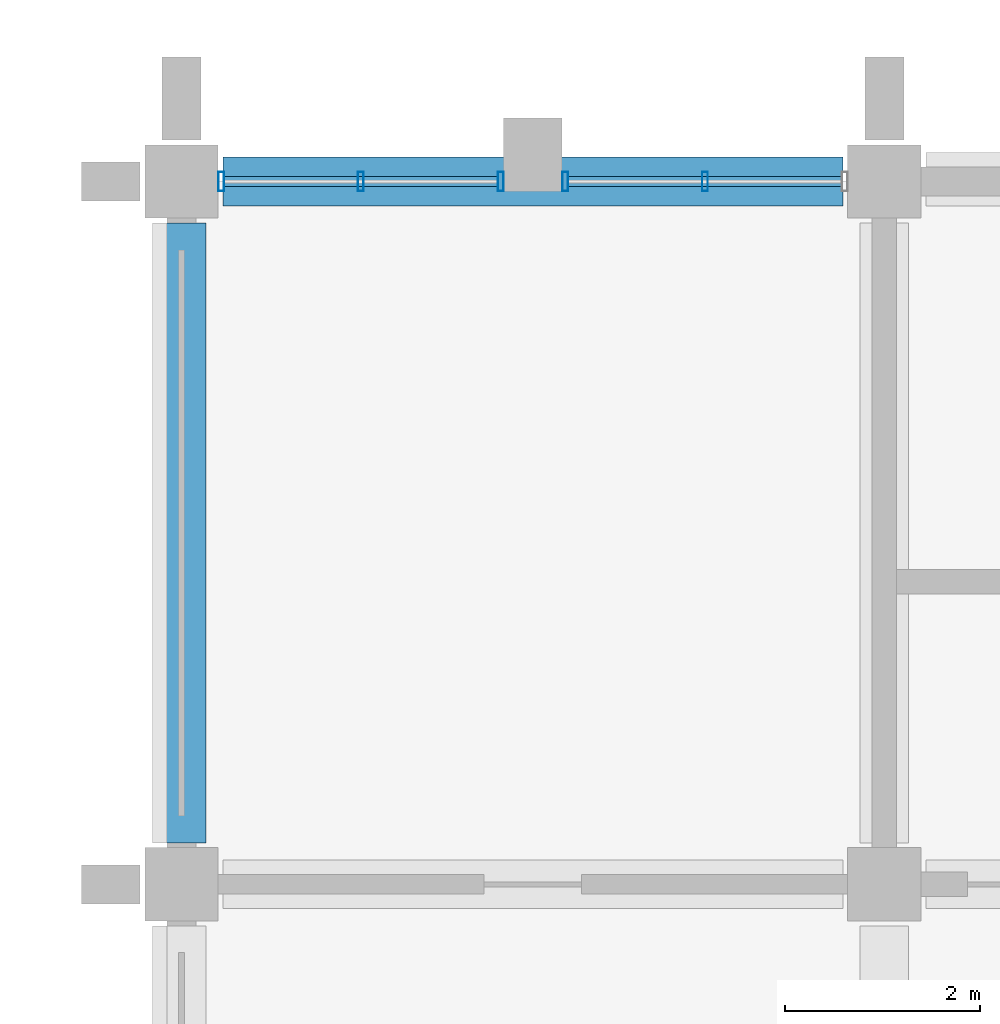
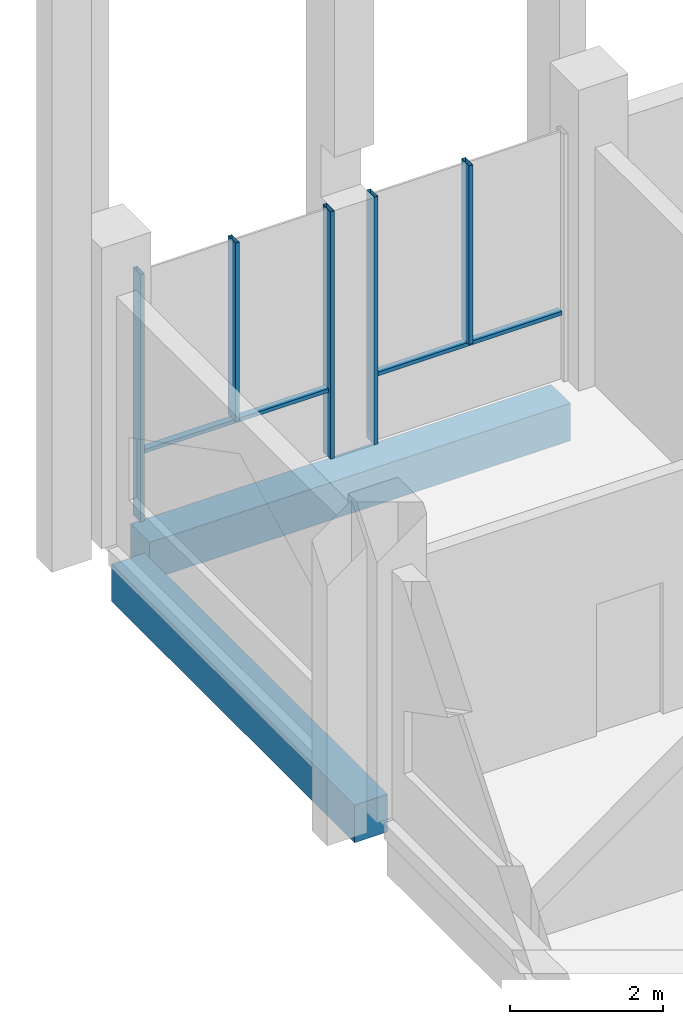
# One storey, part 22 of 40: 7 members, 2 beams, 2 elements without a shape of their own.
"""IFC4 building model written with IfcOpenShell, lengths in metres."""

from ifc_helpers import new_model, si_unit, direction, frame, origin, origin_2d, place, context, subcontext, project, spatial, rectangle, hollow_rectangle, extrude, material, material_profile, profile_set, type_object, element, aggregate, save


model = new_model("IFC4")

# Units and contexts
model_context = context("Model", 3, precision=1e-05, world=origin(), true_north=direction((0.0, 1.0)))
body_context = subcontext(model_context, "Body", "Model", "MODEL_VIEW")
ifc_project = project(units=[si_unit("LENGTHUNIT", "METRE"), si_unit("AREAUNIT", "SQUARE_METRE"), si_unit("VOLUMEUNIT", "CUBIC_METRE"), si_unit("PLANEANGLEUNIT", "RADIAN"), si_unit("MASSUNIT", "GRAM", prefix="KILO")], contexts=[model_context])

# Site, building, storey
site_placement = place(None, origin())
site = spatial("IfcSite", under=ifc_project, at=site_placement, CompositionType="ELEMENT")
building_placement = place(site_placement, origin())
building = spatial("IfcBuilding", under=site, at=building_placement, Name="Silangan Lancet Faculty of Sciences", CompositionType="ELEMENT")
storey_placement = place(building_placement, frame((0.0, 0.0, 21.60009765625)))
storey = spatial("IfcBuildingStorey", under=building, at=storey_placement, Name="L04", CompositionType="ELEMENT", Elevation=21.60009765625)

# Beams
ifc_material_1 = material(Name="Concrete C40/50", Category="concrete")
ifc_material_profile_1 = material_profile(ifc_material_1, rectangle(XDim=0.5, YDim=0.60009765625, at=origin_2d()), Name="RC 500x600")
ifc_profile_set_1 = profile_set([ifc_material_profile_1], Name="Concrete C40/50")
beam_type = type_object("IfcBeamType", Name="BEAM RC 500x600", PredefinedType="BEAM", material=ifc_profile_set_1)
beam_1_placement = place(storey_placement, frame((72.425048828125, 57.60009765625, -0.550048828125), z_axis=(1.0, 0.0, 0.0), x_axis=(0.0, 1.0, 0.0)))
element("IfcBeam", 1, at=beam_1_placement, inside=storey, type_object=beam_type, Name="BM-L04-11I-12I", PredefinedType="BEAM", context=body_context, shape_type="SweptSolid", body=[
    extrude(rectangle(XDim=0.5, YDim=0.60009765625, at=origin_2d()), origin(), (0.0, 0.0, 1.0), 6.349853515625),
])
beam_2_placement = place(storey_placement, frame((72.0, 50.824951171875, -0.550048828125), z_axis=(0.0, 1.0, 0.0), x_axis=(-1.0, 0.0, 0.0)))
element("IfcBeam", 2, at=beam_2_placement, inside=storey, type_object=beam_type, Name="BM-L04-11H-11I", PredefinedType="BEAM", context=body_context, shape_type="SweptSolid", body=[
    extrude(rectangle(XDim=0.5, YDim=0.60009765625, at=origin_2d()), origin(), (0.0, 0.0, 1.0), 6.35009765625),
])

# Curtain wall, members
ifc_material_2 = material(Name="Aluminium framed curtain wall with insulated glass", Category="aluminium")
curtain_wall_type = type_object("IfcCurtainWallType", Name="CW1 Commons and east block glazing", PredefinedType="NOTDEFINED", material=ifc_material_2)
curtain_wall_1_placement = place(storey_placement, origin())
curtain_wall_1 = element("IfcCurtainWall", 3, at=curtain_wall_1_placement, inside=storey, type_object=curtain_wall_type, Name="CW1 East block north L04 bay 1", PredefinedType="NOTDEFINED")
ifc_material_3 = material(Name="Aluminium 6063-T6 extrusion", Category="aluminium")
ifc_material_profile_2 = material_profile(ifc_material_3, hollow_rectangle(XDim=0.06005859375, YDim=0.199951171875, WallThickness=0.00390625, at=origin_2d()), Name="AL BOX 60x200x4")
ifc_profile_set_2 = profile_set([ifc_material_profile_2], Name="Aluminium 6063-T6 extrusion")
member_type_1 = type_object("IfcMemberType", Name="CM1 Mullion 60x200", PredefinedType="MULLION", material=ifc_profile_set_2)
member_1_placement = place(storey_placement, frame((75.93017578125, 57.60009765625, 0.0), z_axis=(0.0, 0.0, 1.0), x_axis=(-1.0, 0.0, 0.0)))
member_1 = element("IfcMember", 4, at=member_1_placement, type_object=member_type_1, Name="CW1 East block north L04 bay 1 mullion 2", PredefinedType="MULLION", context=body_context, shape_type="SweptSolid", body=[
    extrude(hollow_rectangle(XDim=0.06005859375, YDim=0.199951171875, WallThickness=0.00390625, at=origin_2d()), origin(), (0.0, 0.0, 1.0), 3.949951171875),
])
member_2_placement = place(storey_placement, frame((77.362548828125, 57.60009765625, 1.099853515625), z_axis=(0.0, 0.0, 1.0), x_axis=(-1.0, 0.0, 0.0)))
member_2 = element("IfcMember", 5, at=member_2_placement, type_object=member_type_1, Name="CW1 East block north L04 bay 1 mullion 3", PredefinedType="MULLION", context=body_context, shape_type="SweptSolid", body=[
    extrude(hollow_rectangle(XDim=0.06005859375, YDim=0.199951171875, WallThickness=0.00390625, at=origin_2d()), origin(), (0.0, 0.0, 1.0), 2.85009765625),
])

curtain_wall_2_placement = place(storey_placement, origin())
curtain_wall_2 = element("IfcCurtainWall", 6, at=curtain_wall_2_placement, inside=storey, type_object=curtain_wall_type, Name="CW1 East block north L04 bay 2", PredefinedType="NOTDEFINED")
member_3_placement = place(storey_placement, frame((75.27001953125, 57.60009765625, 0.0), z_axis=(0.0, 0.0, 1.0), x_axis=(-1.0, 0.0, 0.0)))
member_3 = element("IfcMember", 7, at=member_3_placement, type_object=member_type_1, Name="CW1 East block north L04 bay 2 mullion 1", PredefinedType="MULLION", context=body_context, shape_type="SweptSolid", body=[
    extrude(hollow_rectangle(XDim=0.06005859375, YDim=0.199951171875, WallThickness=0.00390625, at=origin_2d()), origin(), (0.0, 0.0, 1.0), 3.949951171875),
])
member_4_placement = place(storey_placement, frame((72.405029296875, 57.60009765625, 0.0), z_axis=(0.0, 0.0, 1.0), x_axis=(-1.0, 0.0, 0.0)))
member_4 = element("IfcMember", 8, at=member_4_placement, type_object=member_type_1, Name="CW1 East block north L04 bay 2 mullion 2", PredefinedType="MULLION", context=body_context, shape_type="SweptSolid", body=[
    extrude(hollow_rectangle(XDim=0.06005859375, YDim=0.199951171875, WallThickness=0.00390625, at=origin_2d()), origin(), (0.0, 0.0, 1.0), 3.949951171875),
])
member_5_placement = place(storey_placement, frame((73.837646484375, 57.60009765625, 1.099853515625), z_axis=(0.0, 0.0, 1.0), x_axis=(-1.0, 0.0, 0.0)))
member_5 = element("IfcMember", 9, at=member_5_placement, type_object=member_type_1, Name="CW1 East block north L04 bay 2 mullion 3", PredefinedType="MULLION", context=body_context, shape_type="SweptSolid", body=[
    extrude(hollow_rectangle(XDim=0.06005859375, YDim=0.199951171875, WallThickness=0.00390625, at=origin_2d()), origin(), (0.0, 0.0, 1.0), 2.85009765625),
])

# Member
ifc_material_4 = material(Name="Aluminium 6063-T6 extrusion", Category="aluminium")
ifc_material_profile_3 = material_profile(ifc_material_4, hollow_rectangle(XDim=0.10009765625, YDim=0.06005859375, WallThickness=0.0029296875, at=origin_2d()), Name="AL BOX 100x60x3")
ifc_profile_set_3 = profile_set([ifc_material_profile_3], Name="Aluminium 6063-T6 extrusion")
member_type_2 = type_object("IfcMemberType", Name="CT1 Transom 100x60", PredefinedType="USERDEFINED", material=ifc_profile_set_3)
member_6_placement = place(storey_placement, frame((78.764892578125, 57.60009765625, 1.06982421875), z_axis=(-1.0, 0.0, 0.0), x_axis=(0.0, -1.0, 0.0)))
member_6 = element("IfcMember", 10, at=member_6_placement, type_object=member_type_2, Name="CW1 East block north L04 bay 1 transom 1", ObjectType="TRANSOM", PredefinedType="USERDEFINED", context=body_context, shape_type="SweptSolid", body=[
    extrude(hollow_rectangle(XDim=0.10009765625, YDim=0.06005859375, WallThickness=0.0029296875, at=origin_2d()), origin(), (0.0, 0.0, 1.0), 2.8046875),
])

aggregate(curtain_wall_1, [member_1, member_2, member_6])

member_7_placement = place(storey_placement, frame((75.239990234375, 57.60009765625, 1.06982421875), z_axis=(-1.0, 0.0, 0.0), x_axis=(0.0, -1.0, 0.0)))
member_7 = element("IfcMember", 11, at=member_7_placement, type_object=member_type_2, Name="CW1 East block north L04 bay 2 transom 1", ObjectType="TRANSOM", PredefinedType="USERDEFINED", context=body_context, shape_type="SweptSolid", body=[
    extrude(hollow_rectangle(XDim=0.10009765625, YDim=0.06005859375, WallThickness=0.0029296875, at=origin_2d()), origin(), (0.0, 0.0, 1.0), 2.804931640625),
])

aggregate(curtain_wall_2, [member_3, member_4, member_5, member_7])

save(model, "model.ifc")
